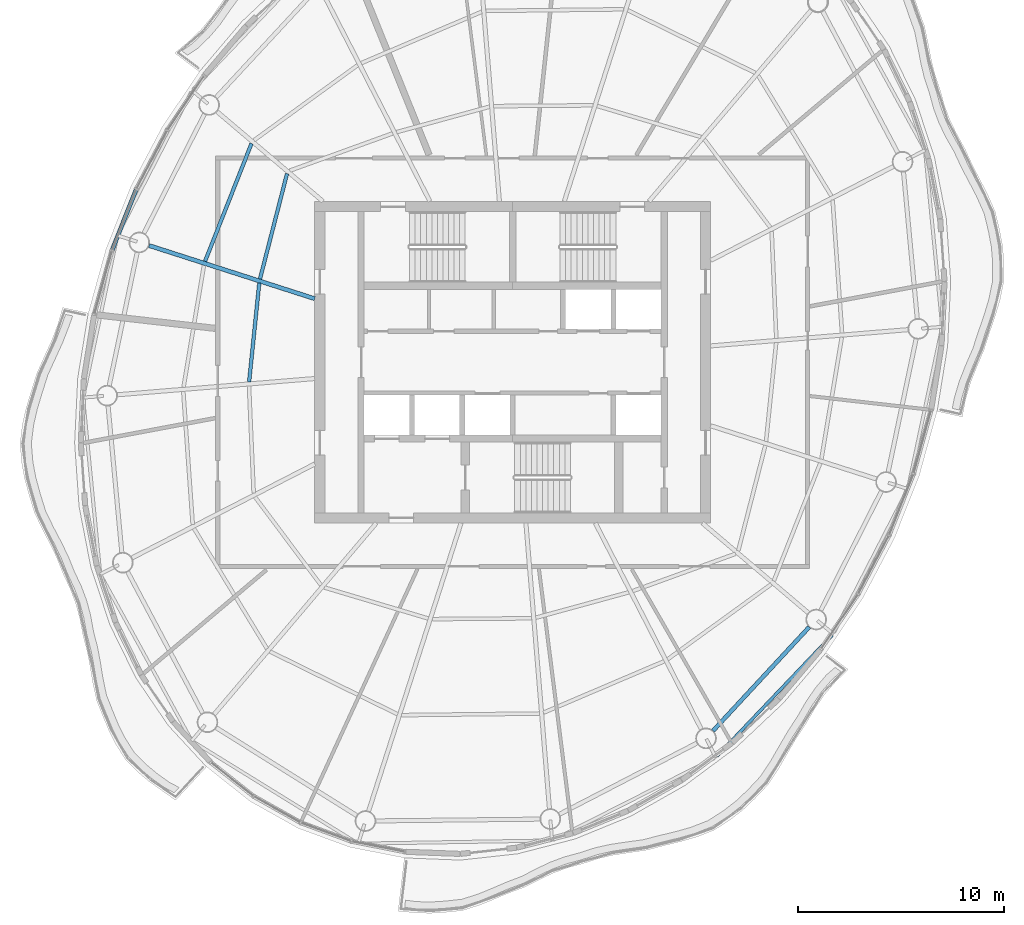
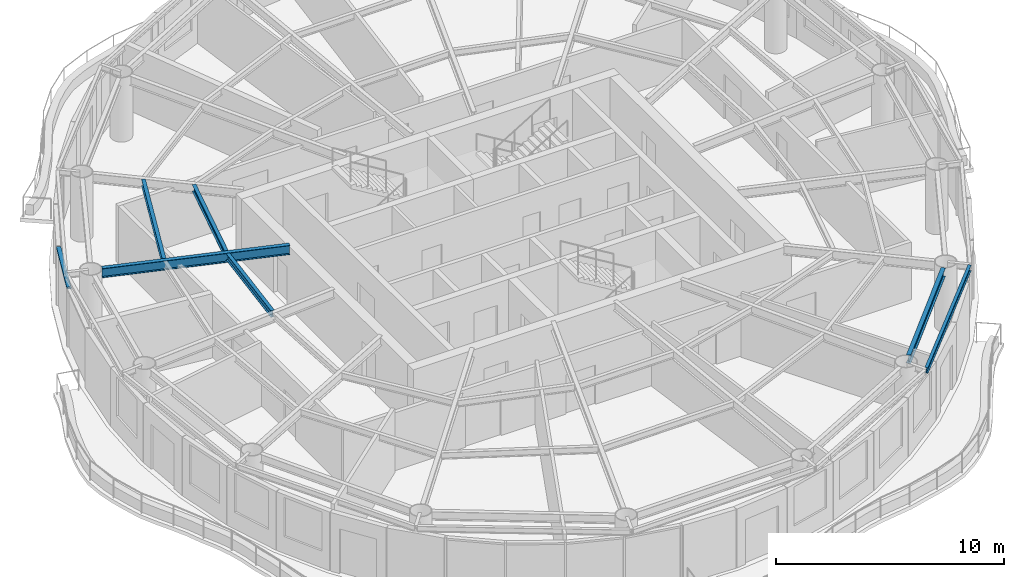
# One storey, part 3 of 13: 6 beams, 1 member, 1 element without a shape of its own.
"""IFC4 building model written with IfcOpenShell, lengths in metres."""

from ifc_helpers import new_model, si_unit, direction, frame, origin, origin_2d, place, context, subcontext, project, spatial, rectangle, i_section, extrude, material, material_profile, profile_set, type_object, element, aggregate, save


model = new_model("IFC4")

# Units and contexts
model_context = context("Model", 3, precision=1e-05, world=origin(), true_north=direction((0.0, 1.0)))
body_context = subcontext(model_context, "Body", "Model", "MODEL_VIEW")
ifc_project = project(units=[si_unit("LENGTHUNIT", "METRE"), si_unit("AREAUNIT", "SQUARE_METRE"), si_unit("VOLUMEUNIT", "CUBIC_METRE"), si_unit("PLANEANGLEUNIT", "RADIAN"), si_unit("MASSUNIT", "GRAM", prefix="KILO")], contexts=[model_context])

# Site, building, storey
site_placement = place(None, origin())
site = spatial("IfcSite", under=ifc_project, at=site_placement, CompositionType="ELEMENT")
building_placement = place(site_placement, origin())
building = spatial("IfcBuilding", under=site, at=building_placement, Name="Vermilion Reach Broadcast Tower", CompositionType="ELEMENT")
storey_placement = place(building_placement, frame((0.0, 0.0, 293.699951171875)))
storey = spatial("IfcBuildingStorey", under=building, at=storey_placement, Name="L73", CompositionType="ELEMENT", Elevation=293.699951171875)

# Beams
ifc_material_1 = material(Name="Steel S355J2", Category="steel")
ifc_material_profile_1 = material_profile(ifc_material_1, i_section(OverallWidth=0.14990234375, OverallDepth=0.300048828125, WebThickness=0.006591796875, FlangeThickness=0.009033203125, at=origin_2d()), Name="S355J2 HN 300x150x6.5x9")
ifc_profile_set_1 = profile_set([ifc_material_profile_1], Name="Steel S355J2")
beam_type_1 = type_object("IfcBeamType", Name="EB5 HN 300x150x6.5x9", PredefinedType="BEAM", material=ifc_profile_set_1)
beam_1_placement = place(storey_placement, frame((3.90625, -19.103271484375, 3.300048828125), z_axis=(0.689371520308, 0.724407969992, 0.0), x_axis=(-0.724407969992, 0.689371520308, 0.0)))
element("IfcBeam", 1, at=beam_1_placement, inside=storey, type_object=beam_type_1, Name="Edge beam EB5-11", PredefinedType="BEAM", context=body_context, shape_type="SweptSolid", body=[
    extrude(i_section(OverallWidth=0.14990234375, OverallDepth=0.300048828125, WebThickness=0.006591796875, FlangeThickness=0.009033203125, at=origin_2d()), origin(), (0.0, 0.0, 1.0), 8.10400390625),
])
ifc_material_2 = material(Name="Steel S355J2", Category="steel")
ifc_material_profile_2 = material_profile(ifc_material_2, i_section(OverallWidth=0.199951171875, OverallDepth=0.5, WebThickness=0.010009765625, FlangeThickness=0.01611328125, at=origin_2d()), Name="S355J2 HN 500x200x10x16")
ifc_profile_set_2 = profile_set([ifc_material_profile_2], Name="Steel S355J2")
beam_type_2 = type_object("IfcBeamType", Name="G5 HN 500x200x10x16", PredefinedType="BEAM", material=ifc_profile_set_2)
beam_2_placement = place(storey_placement, frame((-15.60009765625, 3.080322265625, 3.199951171875), z_axis=(-0.952178453449, 0.305542456604, 0.0), x_axis=(-0.305542456604, -0.952178453449, 0.0)))
element("IfcBeam", 2, at=beam_2_placement, inside=storey, type_object=beam_type_2, Name="Girder G5-05", PredefinedType="BEAM", context=body_context, shape_type="SweptSolid", body=[
    extrude(i_section(OverallWidth=0.199951171875, OverallDepth=0.5, WebThickness=0.010009765625, FlangeThickness=0.01611328125, at=origin_2d()), origin(), (0.0, 0.0, 1.0), 8.43310546875),
])
ifc_material_3 = material(Name="Steel S355J2", Category="steel")
ifc_material_profile_3 = material_profile(ifc_material_3, i_section(OverallWidth=0.199951171875, OverallDepth=0.449951171875, WebThickness=0.009033203125, FlangeThickness=0.013916015625, at=origin_2d()), Name="S355J2 HN 450x200x9x14")
ifc_profile_set_3 = profile_set([ifc_material_profile_3], Name="Steel S355J2")
beam_type_3 = type_object("IfcBeamType", Name="RB5 HN 450x200x9x14", PredefinedType="BEAM", material=ifc_profile_set_3)
beam_3_placement = place(storey_placement, frame((3.716796875, -17.87109375, 3.22509765625), z_axis=(0.679837550075, 0.733362738014, 0.0), x_axis=(-0.733362738014, 0.679837550075, 0.0)))
element("IfcBeam", 3, at=beam_3_placement, inside=storey, type_object=beam_type_3, Name="Ring beam RB5-11", PredefinedType="BEAM", context=body_context, shape_type="SweptSolid", body=[
    extrude(i_section(OverallWidth=0.199951171875, OverallDepth=0.449951171875, WebThickness=0.009033203125, FlangeThickness=0.013916015625, at=origin_2d()), origin(), (0.0, 0.0, 1.0), 6.85546875),
])
ifc_material_4 = material(Name="Steel S355J2", Category="steel")
ifc_material_profile_4 = material_profile(ifc_material_4, i_section(OverallWidth=0.175048828125, OverallDepth=0.35009765625, WebThickness=0.007080078125, FlangeThickness=0.010986328125, at=origin_2d()), Name="S355J2 HN 350x175x7x11")
ifc_profile_set_4 = profile_set([ifc_material_profile_4], Name="Steel S355J2")
beam_type_4 = type_object("IfcBeamType", Name="SB5 HN 350x175x7x11", PredefinedType="BEAM", material=ifc_profile_set_4)
beam_4_placement = place(storey_placement, frame((-16.940185546875, 9.1435546875, 3.275146484375), z_axis=(-0.248729575729, -0.968572969971, 0.0), x_axis=(0.968572969971, -0.248729575729, 0.0)))
element("IfcBeam", 4, at=beam_4_placement, inside=storey, type_object=beam_type_4, Name="Secondary beam SB5-04-1", PredefinedType="BEAM", context=body_context, shape_type="SweptSolid", body=[
    extrude(i_section(OverallWidth=0.175048828125, OverallDepth=0.35009765625, WebThickness=0.007080078125, FlangeThickness=0.010986328125, at=origin_2d()), origin(), (0.0, 0.0, 1.0), 5.27294921875),
])
beam_5_placement = place(storey_placement, frame((-18.6630859375, 10.604248046875, 3.275146484375), z_axis=(-0.366931189603, -0.930248086317, 0.0), x_axis=(0.930248086317, -0.366931189603, 0.0)))
element("IfcBeam", 5, at=beam_5_placement, inside=storey, type_object=beam_type_4, Name="Secondary beam SB5-04-2", PredefinedType="BEAM", context=body_context, shape_type="SweptSolid", body=[
    extrude(i_section(OverallWidth=0.175048828125, OverallDepth=0.35009765625, WebThickness=0.007080078125, FlangeThickness=0.010986328125, at=origin_2d()), origin(), (0.0, 0.0, 1.0), 6.141357421875),
])
beam_6_placement = place(storey_placement, frame((-18.287109375, 3.837646484375, 3.275146484375), z_axis=(-0.102113775264, -0.994772726255, 0.0), x_axis=(0.994772726255, -0.102113775264, 0.0)))
element("IfcBeam", 6, at=beam_6_placement, inside=storey, type_object=beam_type_4, Name="Secondary beam SB5-05-1", PredefinedType="BEAM", context=body_context, shape_type="SweptSolid", body=[
    extrude(i_section(OverallWidth=0.175048828125, OverallDepth=0.35009765625, WebThickness=0.007080078125, FlangeThickness=0.010986328125, at=origin_2d()), origin(), (0.0, 0.0, 1.0), 4.815185546875),
])

# Curtain wall, member
ifc_material_5 = material(Name="Low-e laminated clear glass in aluminium frame", Category="aluminium")
curtain_wall_type = type_object("IfcCurtainWallType", Name="Slot curtain wall", PredefinedType="NOTDEFINED", material=ifc_material_5)
curtain_wall_placement = place(storey_placement, origin())
curtain_wall = element("IfcCurtainWall", 7, at=curtain_wall_placement, inside=storey, type_object=curtain_wall_type, Name="Slot curtain wall L73 12", PredefinedType="NOTDEFINED")
ifc_material_6 = material(Name="Anodised aluminium", Category="aluminium")
ifc_material_profile_5 = material_profile(ifc_material_6, rectangle(XDim=0.199951171875, YDim=0.10009765625, at=origin_2d()), Name="Slot transom 200 x 100")
ifc_profile_set_5 = profile_set([ifc_material_profile_5], Name="Anodised aluminium")
member_type = type_object("IfcMemberType", Name="Slot transom 200 x 100", PredefinedType="USERDEFINED", material=ifc_profile_set_5)
member_placement = place(storey_placement, frame((-24.26123046875, 8.363037109375, 3.10009765625), z_axis=(-0.368868978658, -0.929481401957, 0.0), x_axis=(0.929481401957, -0.368868978658, 0.0)))
member = element("IfcMember", 8, at=member_placement, type_object=member_type, Name="Slot transom L73 12.1", ObjectType="TRANSOM", PredefinedType="USERDEFINED", context=body_context, shape_type="SweptSolid", body=[
    extrude(rectangle(XDim=0.199951171875, YDim=0.10009765625, at=origin_2d()), origin(), (0.0, 0.0, 1.0), 3.139892578125),
])
aggregate(curtain_wall, [member])

save(model, "model.ifc")
